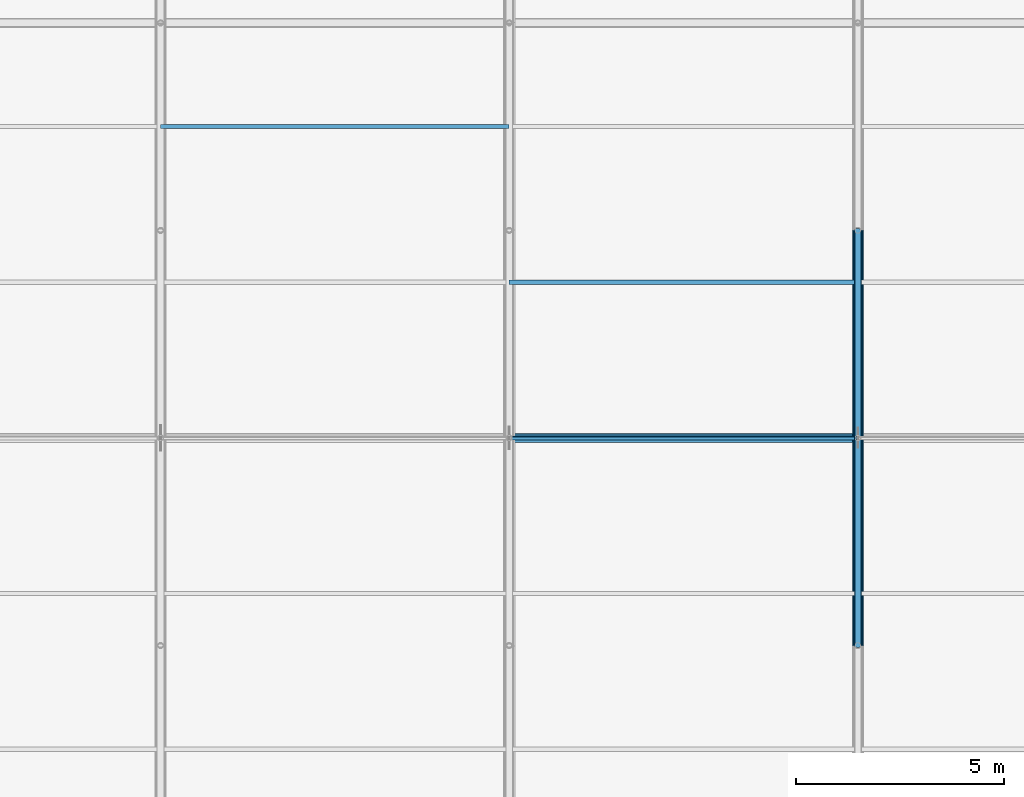
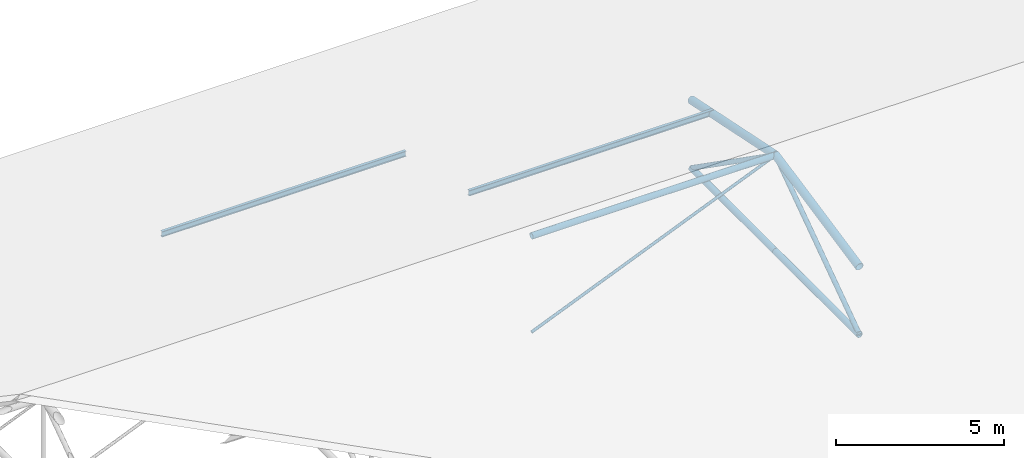
# One storey, part 56 of 194: 8 members, 2 beams.
"""IFC4 building model written with IfcOpenShell, lengths in metres."""

from ifc_helpers import new_model, si_unit, direction, frame, origin, origin_2d, place, context, subcontext, project, spatial, hollow_circle, i_section, extrude, material, material_profile, profile_set, type_object, element, save


model = new_model("IFC4")

# Units and contexts
model_context = context("Model", 3, precision=1e-05, world=origin(), true_north=direction((0.0, 1.0)))
body_context = subcontext(model_context, "Body", "Model", "MODEL_VIEW")
ifc_project = project(units=[si_unit("LENGTHUNIT", "METRE"), si_unit("AREAUNIT", "SQUARE_METRE"), si_unit("VOLUMEUNIT", "CUBIC_METRE"), si_unit("PLANEANGLEUNIT", "RADIAN"), si_unit("MASSUNIT", "GRAM", prefix="KILO")], contexts=[model_context])

# Site, building, storey
site_placement = place(None, origin())
site = spatial("IfcSite", under=ifc_project, at=site_placement, CompositionType="ELEMENT")
building_placement = place(site_placement, origin())
building = spatial("IfcBuilding", under=site, at=building_placement, Name="Kazenagashi Tramway Depot", CompositionType="ELEMENT")
storey_placement = place(building_placement, frame((0.0, 0.0, 23.7)))
storey = spatial("IfcBuildingStorey", under=building, at=storey_placement, Name="ROOF", CompositionType="ELEMENT", Elevation=23.7)

# Beams
ifc_material_1 = material(Name="Steel SN400B", Category="steel")
ifc_material_profile_1 = material_profile(ifc_material_1, i_section(OverallWidth=0.1, OverallDepth=0.2, WebThickness=0.0055, FlangeThickness=0.008, at=origin_2d()), Name="H-200x100x5.5x8")
ifc_profile_set_1 = profile_set([ifc_material_profile_1], Name="Steel SN400B")
beam_type = type_object("IfcBeamType", Name="PR-01", PredefinedType="USERDEFINED", material=ifc_profile_set_1)
for number, where, z_axis, x_axis, name in (
    (1, (103.6, 118.75, -11.305), (1.0, 0.0, 0.0), (0.0, 1.0, 0.0), "Beam PR-01 BM-2187"),
    (2, (95.2, 122.5, -12.13), (1.0, 0.0, 0.0), (0.0, 1.0, 0.0), "Beam PR-01 BM-2204"),
):
    element("IfcBeam", number, at=place(storey_placement, frame(where, z_axis=z_axis, x_axis=x_axis)), inside=storey, type_object=beam_type, Name=name, ObjectType="PURLIN", PredefinedType="USERDEFINED", context=body_context, shape_type="SweptSolid", body=[
        extrude(i_section(OverallWidth=0.1, OverallDepth=0.2, WebThickness=0.0055, FlangeThickness=0.008, at=origin_2d()), origin(), (0.0, 0.0, 1.0), 8.4),
    ])

# Members
ifc_material_2 = material(Name="Steel STK490", Category="steel")
ifc_material_profile_2 = material_profile(ifc_material_2, hollow_circle(Radius=0.1337, WallThickness=0.0093, at=origin_2d()), Name="CHS-267.4x9.3")
ifc_profile_set_2 = profile_set([ifc_material_profile_2], Name="Steel STK490")
member_type_1 = type_object("IfcMemberType", Name="TC-01", PredefinedType="CHORD", material=ifc_profile_set_2)
for number, where, z_axis, x_axis, name in (
    (3, (112.0, 110.0, -11.633), (0.0, 0.979317999984, 0.202327098797), (-1.0, 0.0, 0.0), "Tubular Space Frame TC-01 MEM-0526"),
    (4, (112.0, 115.0, -10.6), (0.0, 0.979317999984, -0.202327098797), (-1.0, 0.0, 0.0), "Tubular Space Frame TC-01 MEM-0529"),
):
    element("IfcMember", number, at=place(storey_placement, frame(where, z_axis=z_axis, x_axis=x_axis)), inside=storey, type_object=member_type_1, Name=name, PredefinedType="CHORD", context=body_context, shape_type="SweptSolid", body=[
        extrude(hollow_circle(Radius=0.1337, WallThickness=0.0093, at=origin_2d()), origin(), (0.0, 0.0, 1.0), 5.105594),
    ])
ifc_material_profile_3 = material_profile(ifc_material_2, hollow_circle(Radius=0.10815, WallThickness=0.0082, at=origin_2d()), Name="CHS-216.3x8.2")
ifc_profile_set_3 = profile_set([ifc_material_profile_3], Name="Steel STK490")
member_type_2 = type_object("IfcMemberType", Name="TC-02", PredefinedType="CHORD", material=ifc_profile_set_3)
member_1_placement = place(storey_placement, frame((103.6, 115.0, -10.6), z_axis=(1.0, 0.0, 0.0), x_axis=(0.0, 1.0, 0.0)))
element("IfcMember", 5, at=member_1_placement, inside=storey, type_object=member_type_2, Name="Tubular Space Frame TC-02 MEM-0485", PredefinedType="CHORD", context=body_context, shape_type="SweptSolid", body=[
    extrude(hollow_circle(Radius=0.10815, WallThickness=0.0082, at=origin_2d()), origin(), (0.0, 0.0, 1.0), 8.4),
])
for number, where, z_axis, x_axis, name in (
    (6, (112.0, 110.0, -14.1), (0.0, 1.0, 0.0), (-1.0, 0.0, 0.0), "Tubular Space Frame TC-02 MEM-0527"),
    (7, (112.0, 115.0, -14.1), (0.0, 1.0, 0.0), (-1.0, 0.0, 0.0), "Tubular Space Frame TC-02 MEM-0530"),
):
    element("IfcMember", number, at=place(storey_placement, frame(where, z_axis=z_axis, x_axis=x_axis)), inside=storey, type_object=member_type_2, Name=name, PredefinedType="CHORD", context=body_context, shape_type="SweptSolid", body=[
        extrude(hollow_circle(Radius=0.10815, WallThickness=0.0082, at=origin_2d()), origin(), (0.0, 0.0, 1.0), 5.0),
    ])
ifc_material_profile_4 = material_profile(ifc_material_2, hollow_circle(Radius=0.0826, WallThickness=0.0071, at=origin_2d()), Name="CHS-165.2x7.1")
ifc_profile_set_4 = profile_set([ifc_material_profile_4], Name="Steel STK490")
member_type_3 = type_object("IfcMemberType", Name="TS-01", PredefinedType="STRUT", material=ifc_profile_set_4)
for number, where, z_axis, x_axis, name in (
    (8, (112.0, 110.0, -14.1), (0.0, 0.819231920519, 0.573462344363), (-1.0, 0.0, 0.0), "Tubular Space Frame TS-01 MEM-0528"),
    (9, (112.0, 115.0, -10.6), (0.0, 0.819231920519, -0.573462344363), (-1.0, 0.0, 0.0), "Tubular Space Frame TS-01 MEM-0531"),
):
    element("IfcMember", number, at=place(storey_placement, frame(where, z_axis=z_axis, x_axis=x_axis)), inside=storey, type_object=member_type_3, Name=name, PredefinedType="STRUT", context=body_context, shape_type="SweptSolid", body=[
        extrude(hollow_circle(Radius=0.0826, WallThickness=0.0071, at=origin_2d()), origin(), (0.0, 0.0, 1.0), 6.103278),
    ])
ifc_material_3 = material(Name="Steel STK400", Category="steel")
ifc_material_profile_5 = material_profile(ifc_material_3, hollow_circle(Radius=0.0508, WallThickness=0.0042, at=origin_2d()), Name="CHS-101.6x4.2")
ifc_profile_set_5 = profile_set([ifc_material_profile_5], Name="Steel STK400")
member_type_4 = type_object("IfcMemberType", Name="TS-06", PredefinedType="STRUT", material=ifc_profile_set_5)
member_2_placement = place(storey_placement, frame((103.6, 115.0, -14.1), z_axis=(0.923076923077, 0.0, 0.384615384615), x_axis=(0.0, 1.0, 0.0)))
element("IfcMember", 10, at=member_2_placement, inside=storey, type_object=member_type_4, Name="Tubular Space Frame TS-06 MEM-0486", PredefinedType="STRUT", context=body_context, shape_type="SweptSolid", body=[
    extrude(hollow_circle(Radius=0.0508, WallThickness=0.0042, at=origin_2d()), origin(), (0.0, 0.0, 1.0), 9.1),
])

save(model, "model.ifc")
